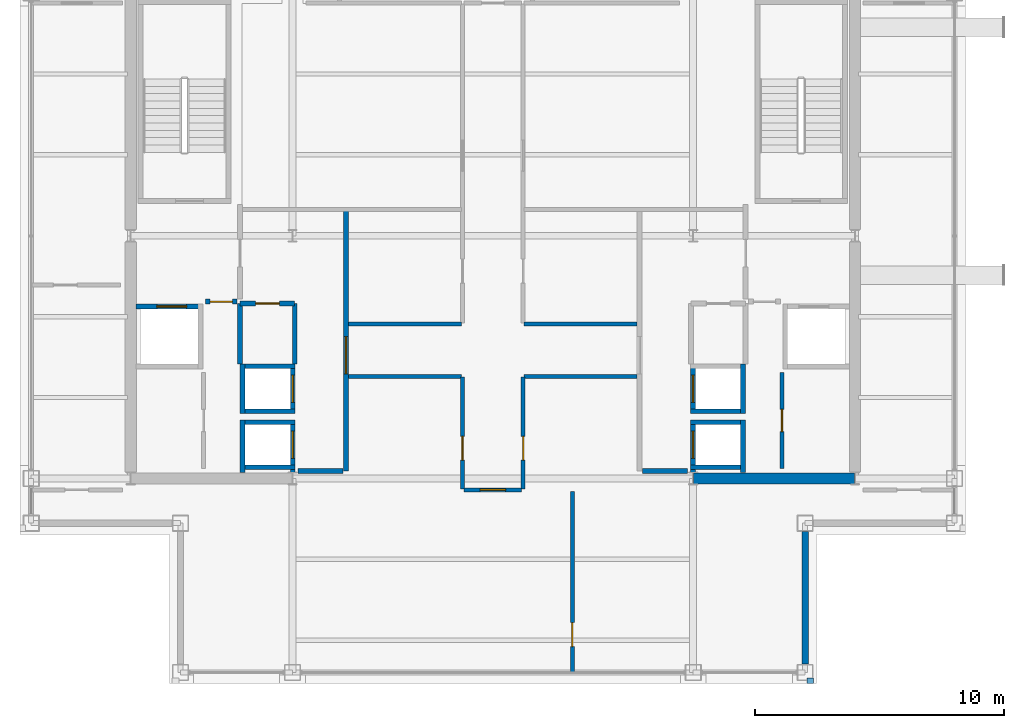
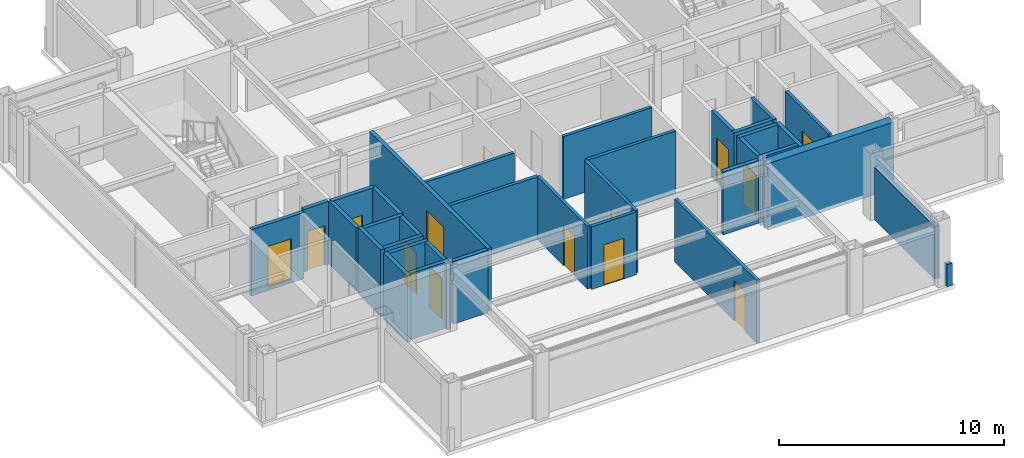
# One storey, part 17 of 20: 35 walls, 13 doors, 13 openings.
"""IFC4 building model written with IfcOpenShell, lengths in metres."""

from ifc_helpers import new_model, si_unit, direction, frame, frame_2d, origin, place, context, subcontext, project, spatial, rectangle, extrude, material, layer, layer_set, type_object, element, fill, save


model = new_model("IFC4")

# Units and contexts
model_context = context("Model", 3, precision=1e-05, world=origin(), true_north=direction((0.0, 1.0)))
body_context = subcontext(model_context, "Body", "Model", "MODEL_VIEW")
ifc_project = project(units=[si_unit("LENGTHUNIT", "METRE"), si_unit("AREAUNIT", "SQUARE_METRE"), si_unit("VOLUMEUNIT", "CUBIC_METRE"), si_unit("PLANEANGLEUNIT", "RADIAN"), si_unit("MASSUNIT", "GRAM", prefix="KILO")], contexts=[model_context])

# Site, building, storey
site_placement = place(None, origin())
site = spatial("IfcSite", under=ifc_project, at=site_placement, CompositionType="ELEMENT")
building_placement = place(site_placement, origin())
building = spatial("IfcBuilding", under=site, at=building_placement, Name="Brelmoor Portico Tower", CompositionType="ELEMENT")
storey_placement = place(building_placement, frame((0.0, 0.0, 218.39990234375)))
storey = spatial("IfcBuildingStorey", under=building, at=storey_placement, Name="L57", CompositionType="ELEMENT", Elevation=218.39990234375)

# Walls
ifc_material_1 = material(Name="Concrete C50", Category="concrete")
ifc_layer_1 = layer(ifc_material_1, 0.449951171875)
ifc_layer_set_1 = layer_set([ifc_layer_1], Name="Concrete C50")
wall_type_1 = type_object("IfcWallType", Name="WL-CORE-450", PredefinedType="SHEAR", material=ifc_layer_set_1)
wall_1_placement = place(storey_placement, frame((8.070068359375, -9.75, -0.199951171875), z_axis=(0.0, 0.0, 1.0), x_axis=(1.0, 0.0, 0.0)))
element("IfcWall", 1, at=wall_1_placement, inside=storey, type_object=wall_type_1, Name="L57 EC South Shear Wall", PredefinedType="SHEAR", context=body_context, shape_type="SweptSolid", body=[
    extrude(rectangle(XDim=6.4599609375, YDim=0.449951171875, at=frame_2d((3.22998046875, 0.0))), origin(), (0.0, 0.0, 1.0), 3.60009765625),
])
ifc_material_2 = material(Name="Precast Concrete C40 Insulated Facade Wall", Category="concrete")
ifc_layer_2 = layer(ifc_material_2, 0.25)
ifc_layer_set_2 = layer_set([ifc_layer_2], Name="Precast Concrete C40 Insulated Facade Wall")
wall_type_2 = type_object("IfcWallType", Name="WL-EXT-250", PredefinedType="STANDARD", material=ifc_layer_set_2)
wall_2_placement = place(storey_placement, frame((12.550048828125, -17.215087890625, 0.0), z_axis=(0.0, 0.0, 1.0), x_axis=(0.0, 1.0, 0.0)))
element("IfcWall", 2, at=wall_2_placement, inside=storey, type_object=wall_type_2, Name="L57 Corner Notch Facade Wall NSEV1", PredefinedType="STANDARD", context=body_context, shape_type="SweptSolid", body=[
    extrude(rectangle(XDim=5.330078125, YDim=0.25, at=frame_2d((2.6650390625, 0.0))), origin(), (0.0, 0.0, 1.0), 2.85009765625),
])
ifc_material_3 = material(Name="Concrete C40 Parapet Upstand", Category="concrete")
ifc_layer_3 = layer(ifc_material_3, 0.219970703125)
ifc_layer_set_3 = layer_set([ifc_layer_3], Name="Concrete C40 Parapet Upstand")
wall_type_3 = type_object("IfcWallType", Name="WL-PARAPET-220", PredefinedType="PARAPET", material=ifc_layer_set_3)
wall_3_placement = place(storey_placement, frame((12.6201171875, -17.889892578125, 0.0), z_axis=(0.0, 0.0, 1.0), x_axis=(1.0, 0.0, 0.0)))
element("IfcWall", 3, at=wall_3_placement, inside=storey, type_object=wall_type_3, Name="L57 Chamfer Vertex Parapet Pier SE1", PredefinedType="PARAPET", context=body_context, shape_type="SweptSolid", body=[
    extrude(rectangle(XDim=0.269775390625, YDim=0.219970703125, at=frame_2d((0.134765625, 0.0))), origin(), (0.0, 0.0, 1.0), 1.2001953125),
])

# Wall, opening, door
ifc_material_4 = material(Name="Twin-Frame Acoustic Partition", Category="gypsum")
ifc_layer_4 = layer(ifc_material_4, 0.159912109375)
ifc_layer_set_4 = layer_set([ifc_layer_4], Name="Twin-Frame Acoustic Partition")
wall_type_4 = type_object("IfcWallType", Name="WL-PART-160", PredefinedType="PARTITIONING", material=ifc_layer_set_4)
wall_4_placement = place(storey_placement, frame((11.6201171875, -9.35009765625, 0.0), z_axis=(0.0, 0.0, 1.0), x_axis=(0.0, 1.0, 0.0)))
wall_4 = element("IfcWall", 4, at=wall_4_placement, inside=storey, type_object=wall_type_4, Name="L57 E Core Service Front Wall", PredefinedType="PARTITIONING", context=body_context, shape_type="SweptSolid", body=[
    extrude(rectangle(XDim=3.85009765625, YDim=0.159912109375, at=frame_2d((1.925048828125, 0.0))), origin(), (0.0, 0.0, 1.0), 3.400146484375),
])
opening_1_placement = place(wall_4_placement, frame((1.47509765625, 0.0, 0.0)))
opening_1 = element("IfcOpeningElement", 5, at=opening_1_placement, cuts=wall_4, Name="Opening D-IN1", PredefinedType="OPENING", context=body_context, shape_type="SweptSolid", body=[
    extrude(rectangle(XDim=0.89990234375, YDim=2.14990234375, at=frame_2d((0.449951171875, 1.074951171875))), frame((0.0, 0.08984375, 0.0), z_axis=(0.0, -1.0, 0.0), x_axis=(1.0, 0.0, 0.0)), (0.0, 0.0, 1.0), 0.179931640625),
])
ifc_material_5 = material(Name="Lacquered Timber Suite Door", Category="wood")
door_type_1 = type_object("IfcDoorType", Name="DR-INT-900", OperationType="NOTDEFINED", PredefinedType="DOOR", material=ifc_material_5)
door_1_placement = place(opening_1_placement, origin())
door_1 = element("IfcDoor", 6, at=door_1_placement, inside=storey, type_object=door_type_1, Name="D-2370 L57 E Male WC Door", OperationType="SINGLE_SWING_RIGHT", OverallHeight=2.14990234375, OverallWidth=0.89990234375, PredefinedType="DOOR", context=body_context, shape_type="SweptSolid", body=[
    extrude(rectangle(XDim=0.89990234375, YDim=2.14990234375, at=frame_2d((0.449951171875, 1.074951171875))), frame((0.0, 0.02490234375, 0.0), z_axis=(0.0, -1.0, 0.0), x_axis=(1.0, 0.0, 0.0)), (0.0, 0.0, 1.0), 0.050048828125),
])
fill(opening_1, door_1)

# Walls
for number, where, z_axis, x_axis, name in (
    (7, (-5.800048828125, -3.550048828125, 0.0), (0.0, 0.0, 1.0), (1.0, 0.0, 0.0), "L57 West Pantry South Wall"),
    (8, (1.260009765625, -3.550048828125, 0.0), (0.0, 0.0, 1.0), (1.0, 0.0, 0.0), "L57 East Office South Wall"),
):
    element("IfcWall", number, at=place(storey_placement, frame(where, z_axis=z_axis, x_axis=x_axis)), inside=storey, type_object=wall_type_4, Name=name, PredefinedType="PARTITIONING", context=body_context, shape_type="SweptSolid", body=[
        extrude(rectangle(XDim=4.5400390625, YDim=0.159912109375, at=frame_2d((2.27001953125, 0.0))), origin(), (0.0, 0.0, 1.0), 3.400146484375),
    ])

# Wall, opening, door
wall_5_placement = place(storey_placement, frame((-1.219970703125, -10.169921875, 0.0), z_axis=(0.0, 0.0, 1.0), x_axis=(0.0, 1.0, 0.0)))
wall_5 = element("IfcWall", 9, at=wall_5_placement, inside=storey, type_object=wall_type_4, Name="L57 South Cross West Wall", PredefinedType="PARTITIONING", context=body_context, shape_type="SweptSolid", body=[
    extrude(rectangle(XDim=4.489990234375, YDim=0.159912109375, at=frame_2d((2.2451171875, 0.0))), origin(), (0.0, 0.0, 1.0), 3.400146484375),
])
opening_2_placement = place(wall_5_placement, frame((1.14990234375, 0.0, 0.0)))
opening_2 = element("IfcOpeningElement", 10, at=opening_2_placement, cuts=wall_5, Name="Opening D-IN2", PredefinedType="OPENING", context=body_context, shape_type="SweptSolid", body=[
    extrude(rectangle(XDim=0.9599609375, YDim=2.179931640625, at=frame_2d((0.47998046875, 1.08984375))), frame((0.0, 0.08984375, 0.0), z_axis=(0.0, -1.0, 0.0), x_axis=(1.0, 0.0, 0.0)), (0.0, 0.0, 1.0), 0.179931640625),
])
door_type_2 = type_object("IfcDoorType", Name="DR-INT-950", OperationType="NOTDEFINED", PredefinedType="DOOR", material=ifc_material_5)
door_2_placement = place(opening_2_placement, origin())
door_2 = element("IfcDoor", 11, at=door_2_placement, inside=storey, type_object=door_type_2, Name="D-2367 L57 South-West Archive Room Door", OperationType="SINGLE_SWING_LEFT", OverallHeight=2.179931640625, OverallWidth=0.9599609375, PredefinedType="DOOR", context=body_context, shape_type="SweptSolid", body=[
    extrude(rectangle(XDim=0.9599609375, YDim=2.179931640625, at=frame_2d((0.47998046875, 1.08984375))), frame((0.0, 0.02490234375, 0.0), z_axis=(0.0, -1.0, 0.0), x_axis=(1.0, 0.0, 0.0)), (0.0, 0.0, 1.0), 0.050048828125),
])
fill(opening_2, door_2)

wall_6_placement = place(storey_placement, frame((1.219970703125, -10.169921875, 0.0), z_axis=(0.0, 0.0, 1.0), x_axis=(0.0, 1.0, 0.0)))
wall_6 = element("IfcWall", 12, at=wall_6_placement, inside=storey, type_object=wall_type_4, Name="L57 South Cross East Wall", PredefinedType="PARTITIONING", context=body_context, shape_type="SweptSolid", body=[
    extrude(rectangle(XDim=4.489990234375, YDim=0.159912109375, at=frame_2d((2.2451171875, 0.0))), origin(), (0.0, 0.0, 1.0), 3.400146484375),
])
opening_3_placement = place(wall_6_placement, frame((1.14990234375, 0.0, 0.0)))
opening_3 = element("IfcOpeningElement", 13, at=opening_3_placement, cuts=wall_6, Name="Opening D-IN2", PredefinedType="OPENING", context=body_context, shape_type="SweptSolid", body=[
    extrude(rectangle(XDim=0.9599609375, YDim=2.179931640625, at=frame_2d((0.47998046875, 1.08984375))), frame((0.0, 0.08984375, 0.0), z_axis=(0.0, -1.0, 0.0), x_axis=(1.0, 0.0, 0.0)), (0.0, 0.0, 1.0), 0.179931640625),
])
door_3_placement = place(opening_3_placement, origin())
door_3 = element("IfcDoor", 14, at=door_3_placement, inside=storey, type_object=door_type_2, Name="D-2366 L57 South-East Partner Office Door", OperationType="SINGLE_SWING_RIGHT", OverallHeight=2.179931640625, OverallWidth=0.9599609375, PredefinedType="DOOR", context=body_context, shape_type="SweptSolid", body=[
    extrude(rectangle(XDim=0.9599609375, YDim=2.179931640625, at=frame_2d((0.47998046875, 1.08984375))), frame((0.0, 0.02490234375, 0.0), z_axis=(0.0, -1.0, 0.0), x_axis=(1.0, 0.0, 0.0)), (0.0, 0.0, 1.0), 0.050048828125),
])
fill(opening_3, door_3)

# Walls
for number, where, z_axis, x_axis, name in (
    (15, (-5.800048828125, -5.64990234375, 0.0), (0.0, 0.0, 1.0), (1.0, 0.0, 0.0), "L57 South-West Chamber Top Wall"),
    (16, (1.260009765625, -5.64990234375, 0.0), (0.0, 0.0, 1.0), (1.0, 0.0, 0.0), "L57 South-East Chamber Top Wall"),
):
    element("IfcWall", number, at=place(storey_placement, frame(where, z_axis=z_axis, x_axis=x_axis)), inside=storey, type_object=wall_type_4, Name=name, PredefinedType="PARTITIONING", context=body_context, shape_type="SweptSolid", body=[
        extrude(rectangle(XDim=4.5400390625, YDim=0.159912109375, at=frame_2d((2.27001953125, 0.0))), origin(), (0.0, 0.0, 1.0), 3.400146484375),
    ])

# Wall, opening, door
wall_7_placement = place(storey_placement, frame((3.19482421875, -17.56005859375, 0.0), z_axis=(0.0, 0.0, 1.0), x_axis=(0.0, 1.0, 0.0)))
wall_7 = element("IfcWall", 17, at=wall_7_placement, inside=storey, type_object=wall_type_4, Name="L57 South Suite Partition 1", PredefinedType="PARTITIONING", context=body_context, shape_type="SweptSolid", body=[
    extrude(rectangle(XDim=7.2900390625, YDim=0.159912109375, at=frame_2d((3.64501953125, 0.0))), origin(), (0.0, 0.0, 1.0), 3.400146484375),
])
opening_4_placement = place(wall_7_placement, frame((1.050048828125, 0.0, 0.0)))
opening_4 = element("IfcOpeningElement", 18, at=opening_4_placement, cuts=wall_7, Name="Opening D-IN2", PredefinedType="OPENING", context=body_context, shape_type="SweptSolid", body=[
    extrude(rectangle(XDim=0.9599609375, YDim=2.179931640625, at=frame_2d((0.47998046875, 1.08984375))), frame((0.0, 0.08984375, 0.0), z_axis=(0.0, -1.0, 0.0), x_axis=(1.0, 0.0, 0.0)), (0.0, 0.0, 1.0), 0.179931640625),
])
door_4_placement = place(opening_4_placement, origin())
door_4 = element("IfcDoor", 19, at=door_4_placement, inside=storey, type_object=door_type_2, Name="D-2386 L57 South Suite Connecting Door 1", OperationType="SINGLE_SWING_RIGHT", OverallHeight=2.179931640625, OverallWidth=0.9599609375, PredefinedType="DOOR", context=body_context, shape_type="SweptSolid", body=[
    extrude(rectangle(XDim=0.9599609375, YDim=2.179931640625, at=frame_2d((0.47998046875, 1.08984375))), frame((0.0, 0.02490234375, 0.0), z_axis=(0.0, -1.0, 0.0), x_axis=(1.0, 0.0, 0.0)), (0.0, 0.0, 1.0), 0.050048828125),
])
fill(opening_4, door_4)

wall_8_placement = place(storey_placement, frame((-1.14990234375, -10.2099609375, 0.0), z_axis=(0.0, 0.0, 1.0), x_axis=(1.0, 0.0, 0.0)))
wall_8 = element("IfcWall", 20, at=wall_8_placement, inside=storey, type_object=wall_type_4, Name="L57 South Corridor Partition", PredefinedType="PARTITIONING", context=body_context, shape_type="SweptSolid", body=[
    extrude(rectangle(XDim=2.2998046875, YDim=0.159912109375, at=frame_2d((1.14990234375, 0.0))), origin(), (0.0, 0.0, 1.0), 3.400146484375),
])
opening_5_placement = place(wall_8_placement, frame((0.639892578125, 0.0, 0.0)))
opening_5 = element("IfcOpeningElement", 21, at=opening_5_placement, cuts=wall_8, Name="Opening D-OF1", PredefinedType="OPENING", context=body_context, shape_type="SweptSolid", body=[
    extrude(rectangle(XDim=1.02001953125, YDim=2.199951171875, at=frame_2d((0.510009765625, 1.10009765625))), frame((0.0, 0.08984375, 0.0), z_axis=(0.0, -1.0, 0.0), x_axis=(1.0, 0.0, 0.0)), (0.0, 0.0, 1.0), 0.179931640625),
])
ifc_material_6 = material(Name="Hardwood Acoustic Veneer Door", Category="wood")
door_type_3 = type_object("IfcDoorType", Name="DR-OFFICE-1000", OperationType="NOTDEFINED", PredefinedType="DOOR", material=ifc_material_6)
door_5_placement = place(opening_5_placement, origin())
door_5 = element("IfcDoor", 22, at=door_5_placement, inside=storey, type_object=door_type_3, Name="D-2385 L57 South Executive Study 1 Door", OperationType="SINGLE_SWING_LEFT", OverallHeight=2.199951171875, OverallWidth=1.02001953125, PredefinedType="DOOR", context=body_context, shape_type="SweptSolid", body=[
    extrude(rectangle(XDim=1.02001953125, YDim=2.199951171875, at=frame_2d((0.510009765625, 1.10009765625))), frame((0.0, 0.02490234375, 0.0), z_axis=(0.0, -1.0, 0.0), x_axis=(1.0, 0.0, 0.0)), (0.0, 0.0, 1.0), 0.050048828125),
])
fill(opening_5, door_5)

ifc_material_7 = material(Name="Double-Stud Gypsum Fire Partition", Category="gypsum")
ifc_layer_5 = layer(ifc_material_7, 0.199951171875)
ifc_layer_set_5 = layer_set([ifc_layer_5], Name="Double-Stud Gypsum Fire Partition")
wall_type_5 = type_object("IfcWallType", Name="WL-PART-200", PredefinedType="PARTITIONING", material=ifc_layer_set_5)
wall_9_placement = place(storey_placement, frame((-5.89990234375, -9.449951171875, 0.0), z_axis=(0.0, 0.0, 1.0), x_axis=(0.0, 1.0, 0.0)))
wall_9 = element("IfcWall", 23, at=wall_9_placement, inside=storey, type_object=wall_type_5, Name="L57 W Core Lobby Compartment Wall", PredefinedType="PARTITIONING", context=body_context, shape_type="SweptSolid", body=[
    extrude(rectangle(XDim=10.5, YDim=0.199951171875, at=frame_2d((5.25, 0.0))), origin(), (0.0, 0.0, 1.0), 3.400146484375),
])
opening_6_placement = place(wall_9_placement, frame((3.89990234375, 0.0, 0.0)))
opening_6 = element("IfcOpeningElement", 24, at=opening_6_placement, cuts=wall_9, Name="Opening D-LB1", PredefinedType="OPENING", context=body_context, shape_type="SweptSolid", body=[
    extrude(rectangle(XDim=1.5, YDim=2.199951171875, at=frame_2d((0.75, 1.10009765625))), frame((0.0, 0.10986328125, 0.0), z_axis=(0.0, -1.0, 0.0), x_axis=(1.0, 0.0, 0.0)), (0.0, 0.0, 1.0), 0.219970703125),
])
ifc_material_8 = material(Name="Double-Leaf Glazed Steel Fire Door", Category="steel")
door_type_4 = type_object("IfcDoorType", Name="DR-LOBBY-1500", OperationType="NOTDEFINED", PredefinedType="DOOR", material=ifc_material_8)
door_6_placement = place(opening_6_placement, origin())
door_6 = element("IfcDoor", 25, at=door_6_placement, inside=storey, type_object=door_type_4, Name="D-2379 L57 W Lift Lobby Main Door", OperationType="DOUBLE_DOOR_SINGLE_SWING", OverallHeight=2.199951171875, OverallWidth=1.5, PredefinedType="DOOR", context=body_context, shape_type="SweptSolid", body=[
    extrude(rectangle(XDim=1.5, YDim=2.199951171875, at=frame_2d((0.75, 1.10009765625))), frame((0.0, 0.02490234375, 0.0), z_axis=(0.0, -1.0, 0.0), x_axis=(1.0, 0.0, 0.0)), (0.0, 0.0, 1.0), 0.050048828125),
])
fill(opening_6, door_6)

# Wall
wall_10_placement = place(storey_placement, frame((-6.02001953125, -9.449951171875, 0.0), z_axis=(0.0, 0.0, 1.0), x_axis=(-1.0, 0.0, 0.0)))
element("IfcWall", 26, at=wall_10_placement, inside=storey, type_object=wall_type_5, Name="L57 W Lift Lobby South End Wall", PredefinedType="PARTITIONING", context=body_context, shape_type="SweptSolid", body=[
    extrude(rectangle(XDim=1.800048828125, YDim=0.199951171875, at=frame_2d((0.89990234375, 0.0))), origin(), (0.0, 0.0, 1.0), 3.400146484375),
])

# Wall, opening, door
wall_11_placement = place(storey_placement, frame((-10.280029296875, -2.64990234375, 0.0), z_axis=(0.0, 0.0, 1.0), x_axis=(-1.0, 0.0, 0.0)))
wall_11 = element("IfcWall", 27, at=wall_11_placement, inside=storey, type_object=wall_type_5, Name="L57 W Firefighting Lobby South Wall", PredefinedType="PARTITIONING", context=body_context, shape_type="SweptSolid", body=[
    extrude(rectangle(XDim=1.27001953125, YDim=0.199951171875, at=frame_2d((0.635009765625, 0.0))), origin(), (0.0, 0.0, 1.0), 3.400146484375),
])
opening_7_placement = place(wall_11_placement, frame((0.18505859375, 0.0, 0.0)))
opening_7 = element("IfcOpeningElement", 28, at=opening_7_placement, cuts=wall_11, Name="Opening D-IN1", PredefinedType="OPENING", context=body_context, shape_type="SweptSolid", body=[
    extrude(rectangle(XDim=0.89990234375, YDim=2.14990234375, at=frame_2d((0.449951171875, 1.074951171875))), frame((0.0, 0.10986328125, 0.0), z_axis=(0.0, -1.0, 0.0), x_axis=(1.0, 0.0, 0.0)), (0.0, 0.0, 1.0), 0.219970703125),
])
door_7_placement = place(opening_7_placement, origin())
door_7 = element("IfcDoor", 29, at=door_7_placement, inside=storey, type_object=door_type_1, Name="D-2372 L57 W Core Service Vestibule Door", OperationType="SINGLE_SWING_RIGHT", OverallHeight=2.14990234375, OverallWidth=0.89990234375, PredefinedType="DOOR", context=body_context, shape_type="SweptSolid", body=[
    extrude(rectangle(XDim=0.89990234375, YDim=2.14990234375, at=frame_2d((0.449951171875, 1.074951171875))), frame((0.0, 0.02490234375, 0.0), z_axis=(0.0, -1.0, 0.0), x_axis=(1.0, 0.0, 0.0)), (0.0, 0.0, 1.0), 0.050048828125),
])
fill(opening_7, door_7)

wall_12_placement = place(storey_placement, frame((-7.9599609375, -2.719970703125, 0.0), z_axis=(0.0, 0.0, 1.0), x_axis=(-1.0, 0.0, 0.0)))
wall_12 = element("IfcWall", 30, at=wall_12_placement, inside=storey, type_object=wall_type_5, Name="L57 W Electrical Switchgear Closet Wall", PredefinedType="PARTITIONING", context=body_context, shape_type="SweptSolid", body=[
    extrude(rectangle(XDim=2.199951171875, YDim=0.199951171875, at=frame_2d((1.10009765625, 0.0))), origin(), (0.0, 0.0, 1.0), 3.400146484375),
])
opening_8_placement = place(wall_12_placement, frame((0.6201171875, 0.0, 0.0)))
opening_8 = element("IfcOpeningElement", 31, at=opening_8_placement, cuts=wall_12, Name="Opening D-FR4", PredefinedType="OPENING", context=body_context, shape_type="SweptSolid", body=[
    extrude(rectangle(XDim=0.949951171875, YDim=2.10009765625, at=frame_2d((0.47509765625, 1.050048828125))), frame((0.0, 0.10986328125, 0.0), z_axis=(0.0, -1.0, 0.0), x_axis=(1.0, 0.0, 0.0)), (0.0, 0.0, 1.0), 0.219970703125),
])
ifc_material_9 = material(Name="Painted Galvanised Steel Riser Door", Category="steel")
door_type_5 = type_object("IfcDoorType", Name="DR-FIRE-950", OperationType="NOTDEFINED", PredefinedType="DOOR", material=ifc_material_9)
door_8_placement = place(opening_8_placement, origin())
door_8 = element("IfcDoor", 32, at=door_8_placement, inside=storey, type_object=door_type_5, Name="D-2375 L57 W Electrical Switchgear Closet Door", OperationType="SINGLE_SWING_LEFT", OverallHeight=2.10009765625, OverallWidth=0.949951171875, PredefinedType="DOOR", context=body_context, shape_type="SweptSolid", body=[
    extrude(rectangle(XDim=0.949951171875, YDim=2.10009765625, at=frame_2d((0.47509765625, 1.050048828125))), frame((0.0, 0.02490234375, 0.0), z_axis=(0.0, -1.0, 0.0), x_axis=(1.0, 0.0, 0.0)), (0.0, 0.0, 1.0), 0.050048828125),
])
fill(opening_8, door_8)

# Walls
for number, where, z_axis, x_axis, name in (
    (33, (-7.9599609375, -5.159912109375, 0.0), (0.0, 0.0, 1.0), (0.0, 1.0, 0.0), "L57 W Electrical Switchgear Closet Inner Wall"),
    (34, (-10.159912109375, -5.159912109375, 0.0), (0.0, 0.0, 1.0), (0.0, 1.0, 0.0), "L57 W Electrical Switchgear Closet Outer Wall"),
):
    element("IfcWall", number, at=place(storey_placement, frame(where, z_axis=z_axis, x_axis=x_axis)), inside=storey, type_object=wall_type_5, Name=name, PredefinedType="PARTITIONING", context=body_context, shape_type="SweptSolid", body=[
        extrude(rectangle(XDim=2.43994140625, YDim=0.199951171875, at=frame_2d((1.219970703125, 0.0))), origin(), (0.0, 0.0, 1.0), 3.400146484375),
    ])
wall_13_placement = place(storey_placement, frame((6.02001953125, -9.449951171875, 0.0), z_axis=(0.0, 0.0, 1.0), x_axis=(1.0, 0.0, 0.0)))
element("IfcWall", 35, at=wall_13_placement, inside=storey, type_object=wall_type_5, Name="L57 E Lift Lobby South End Wall", PredefinedType="PARTITIONING", context=body_context, shape_type="SweptSolid", body=[
    extrude(rectangle(XDim=1.800048828125, YDim=0.199951171875, at=frame_2d((0.89990234375, 0.0))), origin(), (0.0, 0.0, 1.0), 3.400146484375),
])

# Wall, opening, door
ifc_material_10 = material(Name="Precast Concrete C40", Category="concrete")
ifc_layer_6 = layer(ifc_material_10, 0.18994140625)
ifc_layer_set_6 = layer_set([ifc_layer_6], Name="Precast Concrete C40")
wall_type_6 = type_object("IfcWallType", Name="WL-SHAFT-180", PredefinedType="SOLIDWALL", material=ifc_layer_set_6)
wall_14_placement = place(storey_placement, frame((-8.044921875, -9.52001953125, -0.199951171875), z_axis=(0.0, 0.0, 1.0), x_axis=(0.0, 1.0, 0.0)))
wall_14 = element("IfcWall", 36, at=wall_14_placement, inside=storey, type_object=wall_type_6, Name="L57 Lift PH1 Hoistway Front Wall", PredefinedType="SOLIDWALL", context=body_context, shape_type="SweptSolid", body=[
    extrude(rectangle(XDim=2.1201171875, YDim=0.18994140625, at=frame_2d((1.06005859375, 0.0))), origin(), (0.0, 0.0, 1.0), 3.60009765625),
])
opening_9_placement = place(wall_14_placement, frame((0.570068359375, 0.0, 0.199951171875)))
opening_9 = element("IfcOpeningElement", 37, at=opening_9_placement, cuts=wall_14, Name="Opening LD-01", PredefinedType="OPENING", context=body_context, shape_type="SweptSolid", body=[
    extrude(rectangle(XDim=1.10009765625, YDim=2.199951171875, at=frame_2d((0.550048828125, 1.10009765625))), frame((0.0, 0.10498046875, 0.0), z_axis=(0.0, -1.0, 0.0), x_axis=(1.0, 0.0, 0.0)), (0.0, 0.0, 1.0), 0.2099609375),
])
ifc_material_11 = material(Name="Brushed Stainless Steel Sliding Lift Door", Category="steel")
door_type_6 = type_object("IfcDoorType", Name="DR-LIFT-1100", OperationType="NOTDEFINED", PredefinedType="DOOR", material=ifc_material_11)
door_9_placement = place(opening_9_placement, origin())
door_9 = element("IfcDoor", 38, at=door_9_placement, inside=storey, type_object=door_type_6, Name="D-2394 L57 Lift PH1 Sliding Landing Door", OperationType="SLIDING_TO_LEFT", OverallHeight=2.199951171875, OverallWidth=1.10009765625, PredefinedType="DOOR", context=body_context, shape_type="SweptSolid", body=[
    extrude(rectangle(XDim=1.10009765625, YDim=2.199951171875, at=frame_2d((0.550048828125, 1.10009765625))), frame((0.0, 0.02490234375, 0.0), z_axis=(0.0, -1.0, 0.0), x_axis=(1.0, 0.0, 0.0)), (0.0, 0.0, 1.0), 0.050048828125),
])
fill(opening_9, door_9)

# Walls
wall_15_placement = place(storey_placement, frame((-10.054931640625, -9.52001953125, -0.199951171875), z_axis=(0.0, 0.0, 1.0), x_axis=(0.0, 1.0, 0.0)))
element("IfcWall", 39, at=wall_15_placement, inside=storey, type_object=wall_type_6, Name="L57 Lift PH1 Hoistway Back Wall", PredefinedType="SOLIDWALL", context=body_context, shape_type="SweptSolid", body=[
    extrude(rectangle(XDim=2.1201171875, YDim=0.18994140625, at=frame_2d((1.06005859375, 0.0))), origin(), (0.0, 0.0, 1.0), 3.60009765625),
])
for number, where, z_axis, x_axis, name in (
    (40, (-10.14990234375, -7.4951171875, -0.199951171875), (0.0, 0.0, 1.0), (1.0, 0.0, 0.0), "L57 Lift PH1 Hoistway North Wall"),
    (41, (-10.14990234375, -9.304931640625, -0.199951171875), (0.0, 0.0, 1.0), (1.0, 0.0, 0.0), "L57 Lift PH1 Hoistway South Wall"),
):
    element("IfcWall", number, at=place(storey_placement, frame(where, z_axis=z_axis, x_axis=x_axis)), inside=storey, type_object=wall_type_6, Name=name, PredefinedType="SOLIDWALL", context=body_context, shape_type="SweptSolid", body=[
        extrude(rectangle(XDim=2.199951171875, YDim=0.18994140625, at=frame_2d((1.10009765625, 0.0))), origin(), (0.0, 0.0, 1.0), 3.60009765625),
    ])

# Wall, opening, door
wall_16_placement = place(storey_placement, frame((-8.044921875, -7.14990234375, -0.199951171875), z_axis=(0.0, 0.0, 1.0), x_axis=(0.0, 1.0, 0.0)))
wall_16 = element("IfcWall", 42, at=wall_16_placement, inside=storey, type_object=wall_type_6, Name="L57 Lift PH2 Hoistway Front Wall", PredefinedType="SOLIDWALL", context=body_context, shape_type="SweptSolid", body=[
    extrude(rectangle(XDim=2.0, YDim=0.18994140625, at=frame_2d((1.0, 0.0))), origin(), (0.0, 0.0, 1.0), 3.60009765625),
])
opening_10_placement = place(wall_16_placement, frame((0.449951171875, 0.0, 0.199951171875)))
opening_10 = element("IfcOpeningElement", 43, at=opening_10_placement, cuts=wall_16, Name="Opening LD-01", PredefinedType="OPENING", context=body_context, shape_type="SweptSolid", body=[
    extrude(rectangle(XDim=1.10009765625, YDim=2.199951171875, at=frame_2d((0.550048828125, 1.10009765625))), frame((0.0, 0.10498046875, 0.0), z_axis=(0.0, -1.0, 0.0), x_axis=(1.0, 0.0, 0.0)), (0.0, 0.0, 1.0), 0.2099609375),
])
door_10_placement = place(opening_10_placement, origin())
door_10 = element("IfcDoor", 44, at=door_10_placement, inside=storey, type_object=door_type_6, Name="D-2395 L57 Lift PH2 Sliding Landing Door", OperationType="SLIDING_TO_LEFT", OverallHeight=2.199951171875, OverallWidth=1.10009765625, PredefinedType="DOOR", context=body_context, shape_type="SweptSolid", body=[
    extrude(rectangle(XDim=1.10009765625, YDim=2.199951171875, at=frame_2d((0.550048828125, 1.10009765625))), frame((0.0, 0.02490234375, 0.0), z_axis=(0.0, -1.0, 0.0), x_axis=(1.0, 0.0, 0.0)), (0.0, 0.0, 1.0), 0.050048828125),
])
fill(opening_10, door_10)

# Walls
wall_17_placement = place(storey_placement, frame((-10.054931640625, -7.14990234375, -0.199951171875), z_axis=(0.0, 0.0, 1.0), x_axis=(0.0, 1.0, 0.0)))
element("IfcWall", 45, at=wall_17_placement, inside=storey, type_object=wall_type_6, Name="L57 Lift PH2 Hoistway Back Wall", PredefinedType="SOLIDWALL", context=body_context, shape_type="SweptSolid", body=[
    extrude(rectangle(XDim=2.0, YDim=0.18994140625, at=frame_2d((1.0, 0.0))), origin(), (0.0, 0.0, 1.0), 3.60009765625),
])
for number, where, z_axis, x_axis, name in (
    (46, (-10.14990234375, -5.2451171875, -0.199951171875), (0.0, 0.0, 1.0), (1.0, 0.0, 0.0), "L57 Lift PH2 Hoistway North Wall"),
    (47, (-10.14990234375, -7.054931640625, -0.199951171875), (0.0, 0.0, 1.0), (1.0, 0.0, 0.0), "L57 Lift PH2 Hoistway South Wall"),
):
    element("IfcWall", number, at=place(storey_placement, frame(where, z_axis=z_axis, x_axis=x_axis)), inside=storey, type_object=wall_type_6, Name=name, PredefinedType="SOLIDWALL", context=body_context, shape_type="SweptSolid", body=[
        extrude(rectangle(XDim=2.199951171875, YDim=0.18994140625, at=frame_2d((1.10009765625, 0.0))), origin(), (0.0, 0.0, 1.0), 3.60009765625),
    ])

# Wall, opening, door
wall_18_placement = place(storey_placement, frame((8.044921875, -9.52001953125, -0.199951171875), z_axis=(0.0, 0.0, 1.0), x_axis=(0.0, 1.0, 0.0)))
wall_18 = element("IfcWall", 48, at=wall_18_placement, inside=storey, type_object=wall_type_6, Name="L57 Lift PH3 Hoistway Front Wall", PredefinedType="SOLIDWALL", context=body_context, shape_type="SweptSolid", body=[
    extrude(rectangle(XDim=2.1201171875, YDim=0.18994140625, at=frame_2d((1.06005859375, 0.0))), origin(), (0.0, 0.0, 1.0), 3.60009765625),
])
opening_11_placement = place(wall_18_placement, frame((0.570068359375, 0.0, 0.199951171875)))
opening_11 = element("IfcOpeningElement", 49, at=opening_11_placement, cuts=wall_18, Name="Opening LD-01", PredefinedType="OPENING", context=body_context, shape_type="SweptSolid", body=[
    extrude(rectangle(XDim=1.10009765625, YDim=2.199951171875, at=frame_2d((0.550048828125, 1.10009765625))), frame((0.0, 0.10498046875, 0.0), z_axis=(0.0, -1.0, 0.0), x_axis=(1.0, 0.0, 0.0)), (0.0, 0.0, 1.0), 0.2099609375),
])
door_11_placement = place(opening_11_placement, origin())
door_11 = element("IfcDoor", 50, at=door_11_placement, inside=storey, type_object=door_type_6, Name="D-2396 L57 Lift PH3 Sliding Landing Door", OperationType="SLIDING_TO_LEFT", OverallHeight=2.199951171875, OverallWidth=1.10009765625, PredefinedType="DOOR", context=body_context, shape_type="SweptSolid", body=[
    extrude(rectangle(XDim=1.10009765625, YDim=2.199951171875, at=frame_2d((0.550048828125, 1.10009765625))), frame((0.0, 0.02490234375, 0.0), z_axis=(0.0, -1.0, 0.0), x_axis=(1.0, 0.0, 0.0)), (0.0, 0.0, 1.0), 0.050048828125),
])
fill(opening_11, door_11)

# Walls
wall_19_placement = place(storey_placement, frame((10.054931640625, -9.52001953125, -0.199951171875), z_axis=(0.0, 0.0, 1.0), x_axis=(0.0, 1.0, 0.0)))
element("IfcWall", 51, at=wall_19_placement, inside=storey, type_object=wall_type_6, Name="L57 Lift PH3 Hoistway Back Wall", PredefinedType="SOLIDWALL", context=body_context, shape_type="SweptSolid", body=[
    extrude(rectangle(XDim=2.1201171875, YDim=0.18994140625, at=frame_2d((1.06005859375, 0.0))), origin(), (0.0, 0.0, 1.0), 3.60009765625),
])
for number, where, z_axis, x_axis, name in (
    (52, (7.949951171875, -7.4951171875, -0.199951171875), (0.0, 0.0, 1.0), (1.0, 0.0, 0.0), "L57 Lift PH3 Hoistway North Wall"),
    (53, (7.949951171875, -9.304931640625, -0.199951171875), (0.0, 0.0, 1.0), (1.0, 0.0, 0.0), "L57 Lift PH3 Hoistway South Wall"),
):
    element("IfcWall", number, at=place(storey_placement, frame(where, z_axis=z_axis, x_axis=x_axis)), inside=storey, type_object=wall_type_6, Name=name, PredefinedType="SOLIDWALL", context=body_context, shape_type="SweptSolid", body=[
        extrude(rectangle(XDim=2.199951171875, YDim=0.18994140625, at=frame_2d((1.10009765625, 0.0))), origin(), (0.0, 0.0, 1.0), 3.60009765625),
    ])

# Wall, opening, door
wall_20_placement = place(storey_placement, frame((8.044921875, -7.14990234375, -0.199951171875), z_axis=(0.0, 0.0, 1.0), x_axis=(0.0, 1.0, 0.0)))
wall_20 = element("IfcWall", 54, at=wall_20_placement, inside=storey, type_object=wall_type_6, Name="L57 Lift PH4 Hoistway Front Wall", PredefinedType="SOLIDWALL", context=body_context, shape_type="SweptSolid", body=[
    extrude(rectangle(XDim=2.0, YDim=0.18994140625, at=frame_2d((1.0, 0.0))), origin(), (0.0, 0.0, 1.0), 3.60009765625),
])
opening_12_placement = place(wall_20_placement, frame((0.449951171875, 0.0, 0.199951171875)))
opening_12 = element("IfcOpeningElement", 55, at=opening_12_placement, cuts=wall_20, Name="Opening LD-01", PredefinedType="OPENING", context=body_context, shape_type="SweptSolid", body=[
    extrude(rectangle(XDim=1.10009765625, YDim=2.199951171875, at=frame_2d((0.550048828125, 1.10009765625))), frame((0.0, 0.10498046875, 0.0), z_axis=(0.0, -1.0, 0.0), x_axis=(1.0, 0.0, 0.0)), (0.0, 0.0, 1.0), 0.2099609375),
])
door_12_placement = place(opening_12_placement, origin())
door_12 = element("IfcDoor", 56, at=door_12_placement, inside=storey, type_object=door_type_6, Name="D-2397 L57 Lift PH4 Sliding Landing Door", OperationType="SLIDING_TO_LEFT", OverallHeight=2.199951171875, OverallWidth=1.10009765625, PredefinedType="DOOR", context=body_context, shape_type="SweptSolid", body=[
    extrude(rectangle(XDim=1.10009765625, YDim=2.199951171875, at=frame_2d((0.550048828125, 1.10009765625))), frame((0.0, 0.02490234375, 0.0), z_axis=(0.0, -1.0, 0.0), x_axis=(1.0, 0.0, 0.0)), (0.0, 0.0, 1.0), 0.050048828125),
])
fill(opening_12, door_12)

# Walls
wall_21_placement = place(storey_placement, frame((10.054931640625, -7.14990234375, -0.199951171875), z_axis=(0.0, 0.0, 1.0), x_axis=(0.0, 1.0, 0.0)))
element("IfcWall", 57, at=wall_21_placement, inside=storey, type_object=wall_type_6, Name="L57 Lift PH4 Hoistway Back Wall", PredefinedType="SOLIDWALL", context=body_context, shape_type="SweptSolid", body=[
    extrude(rectangle(XDim=2.0, YDim=0.18994140625, at=frame_2d((1.0, 0.0))), origin(), (0.0, 0.0, 1.0), 3.60009765625),
])
wall_22_placement = place(storey_placement, frame((7.949951171875, -7.054931640625, -0.199951171875), z_axis=(0.0, 0.0, 1.0), x_axis=(1.0, 0.0, 0.0)))
element("IfcWall", 58, at=wall_22_placement, inside=storey, type_object=wall_type_6, Name="L57 Lift PH4 Hoistway South Wall", PredefinedType="SOLIDWALL", context=body_context, shape_type="SweptSolid", body=[
    extrude(rectangle(XDim=2.199951171875, YDim=0.18994140625, at=frame_2d((1.10009765625, 0.0))), origin(), (0.0, 0.0, 1.0), 3.60009765625),
])

# Wall, opening, door
wall_23_placement = place(storey_placement, frame((-14.330078125, -2.844970703125, -0.199951171875), z_axis=(0.0, 0.0, 1.0), x_axis=(1.0, 0.0, 0.0)))
wall_23 = element("IfcWall", 59, at=wall_23_placement, inside=storey, type_object=wall_type_6, Name="L57 Lift FF1 Hoistway Front Wall", PredefinedType="SOLIDWALL", context=body_context, shape_type="SweptSolid", body=[
    extrude(rectangle(XDim=2.68017578125, YDim=0.18994140625, at=frame_2d((1.340087890625, 0.0))), origin(), (0.0, 0.0, 1.0), 3.60009765625),
])
opening_13_placement = place(wall_23_placement, frame((0.830078125, 0.0, 0.199951171875)))
opening_13 = element("IfcOpeningElement", 60, at=opening_13_placement, cuts=wall_23, Name="Opening LD-02", PredefinedType="OPENING", context=body_context, shape_type="SweptSolid", body=[
    extrude(rectangle(XDim=1.199951171875, YDim=2.199951171875, at=frame_2d((0.60009765625, 1.10009765625))), frame((0.0, 0.10498046875, 0.0), z_axis=(0.0, -1.0, 0.0), x_axis=(1.0, 0.0, 0.0)), (0.0, 0.0, 1.0), 0.2099609375),
])
ifc_material_12 = material(Name="Brushed Stainless Steel Firefighting Lift Door", Category="steel")
door_type_7 = type_object("IfcDoorType", Name="DR-LIFT-1200", OperationType="NOTDEFINED", PredefinedType="DOOR", material=ifc_material_12)
door_13_placement = place(opening_13_placement, origin())
door_13 = element("IfcDoor", 61, at=door_13_placement, inside=storey, type_object=door_type_7, Name="D-2392 L57 Lift FF1 Sliding Landing Door", OperationType="SLIDING_TO_LEFT", OverallHeight=2.199951171875, OverallWidth=1.199951171875, PredefinedType="DOOR", context=body_context, shape_type="SweptSolid", body=[
    extrude(rectangle(XDim=1.199951171875, YDim=2.199951171875, at=frame_2d((0.60009765625, 1.10009765625))), frame((0.0, 0.02490234375, 0.0), z_axis=(0.0, -1.0, 0.0), x_axis=(1.0, 0.0, 0.0)), (0.0, 0.0, 1.0), 0.050048828125),
])
fill(opening_13, door_13)

save(model, "model.ifc")
